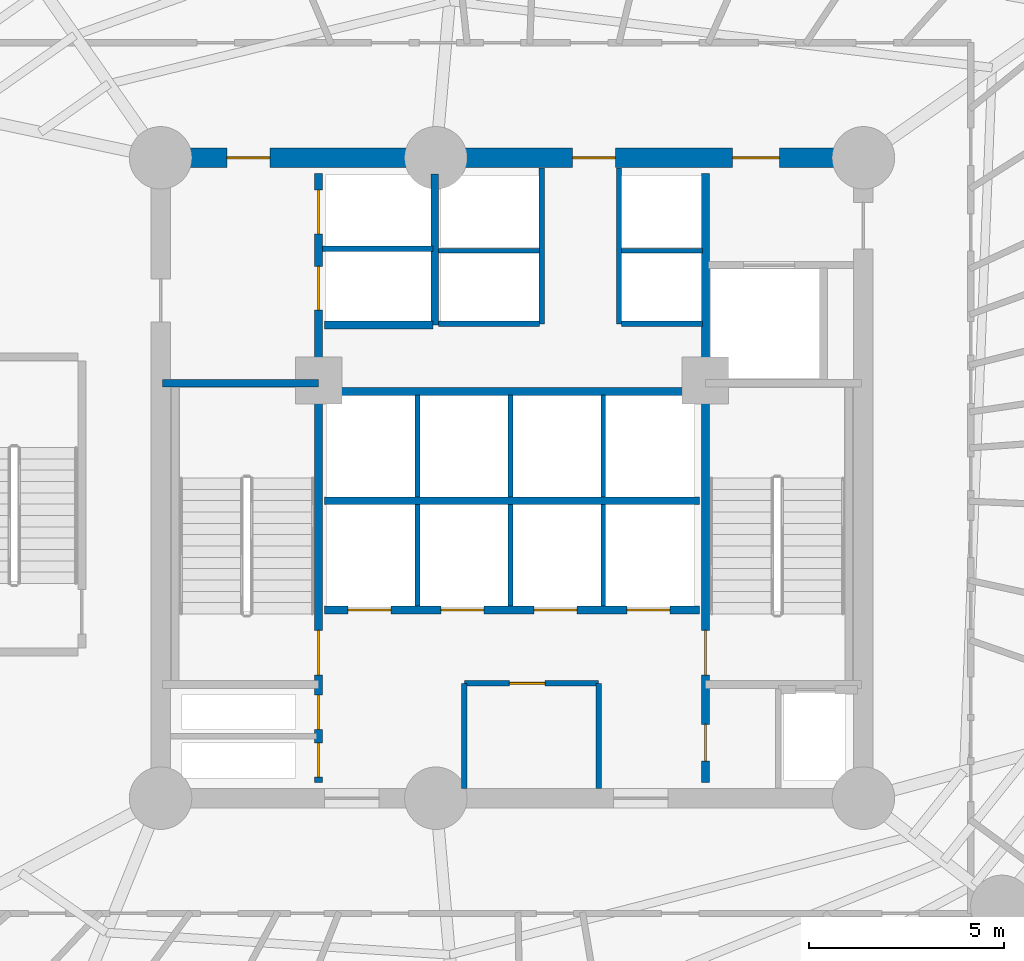
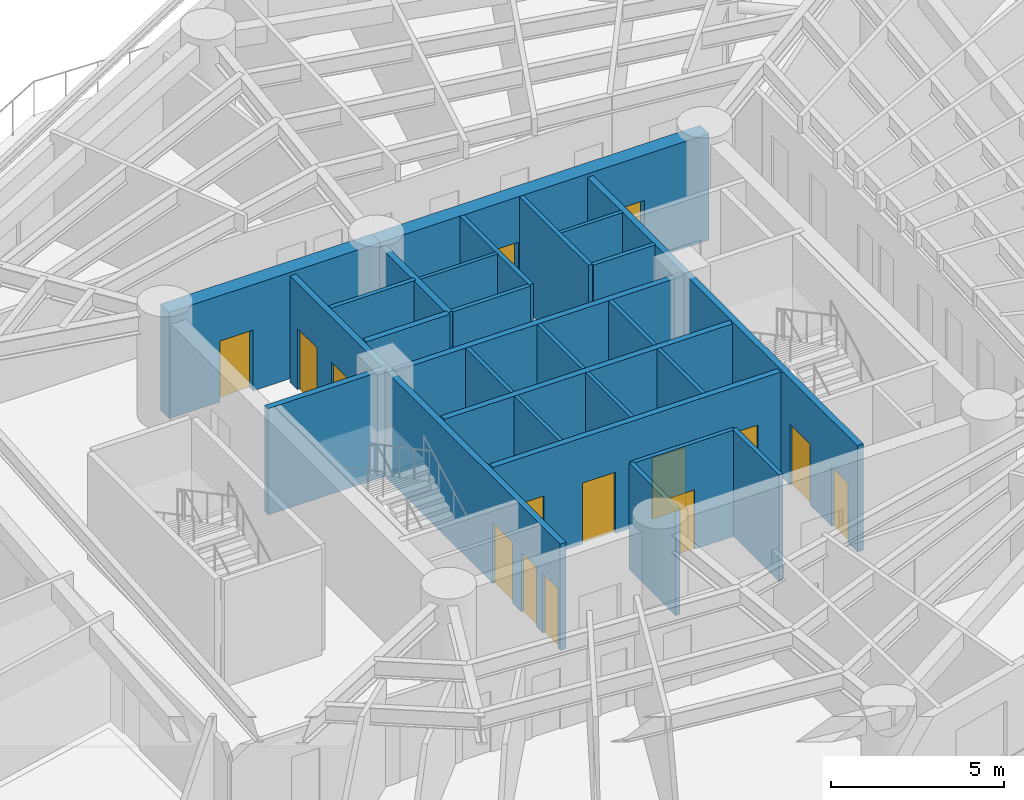
# One storey, part 8 of 16: 26 walls, 15 doors, 15 openings.
"""IFC4 building model written with IfcOpenShell, lengths in metres."""

from ifc_helpers import new_model, si_unit, direction, frame, frame_2d, origin, origin_with_axes, place, context, subcontext, project, spatial, rectangle, extrude, source, transform, mapped, material, layer, layer_set, type_object, element, fill, save


model = new_model("IFC4")

# Units and contexts
model_context = context("Model", 3, precision=1e-05, world=origin(), true_north=direction((0.0, 1.0)))
body_context = subcontext(model_context, "Body", "Model", "MODEL_VIEW")
ifc_project = project(units=[si_unit("LENGTHUNIT", "METRE"), si_unit("AREAUNIT", "SQUARE_METRE"), si_unit("VOLUMEUNIT", "CUBIC_METRE"), si_unit("PLANEANGLEUNIT", "RADIAN"), si_unit("MASSUNIT", "GRAM", prefix="KILO")], contexts=[model_context])

# Site, building, storey
site_placement = place(None, origin())
site = spatial("IfcSite", under=ifc_project, at=site_placement, CompositionType="ELEMENT")
building_placement = place(site_placement, origin())
building = spatial("IfcBuilding", under=site, at=building_placement, Name="Karkom Vertical University and Central Library", CompositionType="ELEMENT")
storey_placement = place(building_placement, frame((0.0, 0.0, 22.5)))
storey = spatial("IfcBuildingStorey", under=building, at=storey_placement, Name="L05", CompositionType="ELEMENT", Elevation=22.5)

# Walls
ifc_material_1 = material(Name="Moisture-resistant drywall 120mm", Category="gypsum")
ifc_layer_1 = layer(ifc_material_1, 0.1201171875)
ifc_layer_set_1 = layer_set([ifc_layer_1], Name="Moisture-resistant drywall 120mm")
wall_type_1 = type_object("IfcWallType", Name="INT-WL-INT-120H", PredefinedType="PARTITIONING", material=ifc_layer_set_1)
for number, where, z_axis, x_axis, name in (
    (1, (26.080078125, 23.219970703125, 0.0), (0.0, 0.0, 1.0), (0.0, 1.0, 0.0), "Level 05 Interior Partition Wall Level 05-CW-PL-DIV1"),
    (2, (28.4599609375, 23.219970703125, 0.0), (0.0, 0.0, 1.0), (0.0, 1.0, 0.0), "Level 05 Interior Partition Wall Level 05-CW-PL-DIV2"),
    (3, (30.840087890625, 23.219970703125, 0.0), (0.0, 0.0, 1.0), (0.0, 1.0, 0.0), "Level 05 Interior Partition Wall Level 05-CW-PL-DIV3"),
    (4, (26.080078125, 26.02001953125, 0.0), (0.0, 0.0, 1.0), (0.0, 1.0, 0.0), "Level 05 Interior Partition Wall Level 05-CW-PM-DIV1"),
    (5, (28.4599609375, 26.02001953125, 0.0), (0.0, 0.0, 1.0), (0.0, 1.0, 0.0), "Level 05 Interior Partition Wall Level 05-CW-PM-DIV2"),
    (6, (30.840087890625, 26.02001953125, 0.0), (0.0, 0.0, 1.0), (0.0, 1.0, 0.0), "Level 05 Interior Partition Wall Level 05-CW-PM-DIV3"),
):
    element("IfcWall", number, at=place(storey_placement, frame(where, z_axis=z_axis, x_axis=x_axis)), inside=storey, type_object=wall_type_1, Name=name, PredefinedType="PARTITIONING", context=body_context, shape_type="SweptSolid", body=[
        extrude(rectangle(XDim=2.60009765625, YDim=0.1201171875, at=frame_2d((1.300048828125, 0.0))), origin(), (0.0, 0.0, 1.0), 3.75),
    ])
wall_1_placement = place(storey_placement, frame((26.6201171875, 32.320068359375, 0.0), z_axis=(0.0, 0.0, 1.0), x_axis=(1.0, 0.0, 0.0)))
element("IfcWall", 7, at=wall_1_placement, inside=storey, type_object=wall_type_1, Name="Level 05 Interior Partition Wall Level 05-CW-PH-MW", PredefinedType="PARTITIONING", context=body_context, shape_type="SweptSolid", body=[
    extrude(rectangle(XDim=2.579833984375, YDim=0.1201171875, at=frame_2d((1.2900390625, 0.0))), origin(), (0.0, 0.0, 1.0), 3.75),
])
wall_2_placement = place(storey_placement, frame((31.300048828125, 32.320068359375, 0.0), z_axis=(0.0, 0.0, 1.0), x_axis=(1.0, 0.0, 0.0)))
element("IfcWall", 8, at=wall_2_placement, inside=storey, type_object=wall_type_1, Name="Level 05 Interior Partition Wall Level 05-CW-PH-ME", PredefinedType="PARTITIONING", context=body_context, shape_type="SweptSolid", body=[
    extrude(rectangle(XDim=2.074951171875, YDim=0.1201171875, at=frame_2d((1.03759765625, 0.0))), origin(), (0.0, 0.0, 1.0), 3.75),
])

# Wall, opening, door
ifc_material_2 = material(Name="Metal-stud gypsum partition 140mm", Category="gypsum")
ifc_layer_2 = layer(ifc_material_2, 0.139892578125)
ifc_layer_set_2 = layer_set([ifc_layer_2], Name="Metal-stud gypsum partition 140mm")
wall_type_2 = type_object("IfcWallType", Name="INT-WL-SUB-140", PredefinedType="PARTITIONING", material=ifc_layer_set_2)
wall_3_placement = place(storey_placement, frame((27.280029296875, 21.239990234375, 0.0), z_axis=(0.0, 0.0, 1.0), x_axis=(1.0, 0.0, 0.0)))
wall_3 = element("IfcWall", 9, at=wall_3_placement, inside=storey, type_object=wall_type_2, Name="Level 05 Interior Partition Wall Level 05-CW-KBAY-N", PredefinedType="PARTITIONING", context=body_context, shape_type="SweptSolid", body=[
    extrude(rectangle(XDim=3.43994140625, YDim=0.139892578125, at=frame_2d((1.719970703125, 0.0))), origin(), (0.0, 0.0, 1.0), 3.75),
])
opening_1_placement = place(wall_3_placement, frame((1.14990234375, 0.0, 0.0)))
opening_1 = element("IfcOpeningElement", 10, at=opening_1_placement, cuts=wall_3, Name="Opening D-SVC1", PredefinedType="OPENING", context=body_context, shape_type="SweptSolid", body=[
    extrude(rectangle(XDim=0.919921875, YDim=2.10009765625, at=frame_2d((0.4599609375, 1.050048828125))), frame((0.0, 0.080078125, 0.0), z_axis=(0.0, -1.0, 0.0), x_axis=(1.0, 0.0, 0.0)), (0.0, 0.0, 1.0), 0.159912109375),
])
ifc_material_3 = material(Name="Painted timber service door", Category="wood")
door_type_1 = type_object("IfcDoorType", Name="INT-DR-SVC1", OperationType="NOTDEFINED", PredefinedType="DOOR", material=ifc_material_3)
shared_shape_1 = source(origin_with_axes(), body_context, "Body", "SweptSolid", [
    extrude(rectangle(XDim=0.919921875, YDim=2.10009765625, at=frame_2d((0.4599609375, 1.050048828125))), frame((0.0, 0.02490234375, 0.0), z_axis=(0.0, -1.0, 0.0), x_axis=(1.0, 0.0, 0.0)), (0.0, 0.0, 1.0), 0.050048828125),
])
door_1_placement = place(opening_1_placement, origin())
door_1 = element("IfcDoor", 11, at=door_1_placement, inside=storey, type_object=door_type_1, Name="Level 05 Comms Room Door", OperationType="SINGLE_SWING_RIGHT", OverallHeight=2.10009765625, OverallWidth=0.919921875, PredefinedType="DOOR", context=body_context, shape_type="MappedRepresentation", body=[
    mapped(shared_shape_1, transform((0.0, 0.0, 0.0), scale=1.0)),
])
fill(opening_1, door_1)

# Walls
for number, where, z_axis, x_axis, name in (
    (12, (27.280029296875, 18.550048828125, 0.0), (0.0, 0.0, 1.0), (0.0, 1.0, 0.0), "Level 05 Interior Partition Wall Level 05-CW-KBAY-W"),
    (13, (30.719970703125, 18.550048828125, 0.0), (0.0, 0.0, 1.0), (0.0, 1.0, 0.0), "Level 05 Interior Partition Wall Level 05-CW-KBAY-E"),
):
    element("IfcWall", number, at=place(storey_placement, frame(where, z_axis=z_axis, x_axis=x_axis)), inside=storey, type_object=wall_type_2, Name=name, PredefinedType="PARTITIONING", context=body_context, shape_type="SweptSolid", body=[
        extrude(rectangle(XDim=2.68994140625, YDim=0.139892578125, at=frame_2d((1.344970703125, 0.0))), origin(), (0.0, 0.0, 1.0), 3.75),
    ])
ifc_layer_3 = layer(ifc_material_2, 0.139892578125)
ifc_layer_set_3 = layer_set([ifc_layer_3], Name="Metal-stud gypsum partition 140mm")
wall_type_3 = type_object("IfcWallType", Name="INT-WL-SUB-140H", PredefinedType="PARTITIONING", material=ifc_layer_set_3)
for number, where, z_axis, x_axis, name in (
    (14, (29.260009765625, 30.449951171875, 0.0), (0.0, 0.0, 1.0), (0.0, 1.0, 0.0), "Level 05 Interior Partition Wall Level 05-CW-PH-W"),
    (15, (31.239990234375, 30.449951171875, 0.0), (0.0, 0.0, 1.0), (0.0, 1.0, 0.0), "Level 05 Interior Partition Wall Level 05-CW-PH-E"),
):
    element("IfcWall", number, at=place(storey_placement, frame(where, z_axis=z_axis, x_axis=x_axis)), inside=storey, type_object=wall_type_3, Name=name, PredefinedType="PARTITIONING", context=body_context, shape_type="SweptSolid", body=[
        extrude(rectangle(XDim=3.9931640625, YDim=0.139892578125, at=frame_2d((1.99658203125, 0.0))), origin(), (0.0, 0.0, 1.0), 3.75),
    ])
wall_4_placement = place(storey_placement, frame((26.6201171875, 30.449951171875, 0.0), z_axis=(0.0, 0.0, 1.0), x_axis=(1.0, 0.0, 0.0)))
element("IfcWall", 16, at=wall_4_placement, inside=storey, type_object=wall_type_3, Name="Level 05 Interior Partition Wall Level 05-CW-PH-S1", PredefinedType="PARTITIONING", context=body_context, shape_type="SweptSolid", body=[
    extrude(rectangle(XDim=2.579833984375, YDim=0.139892578125, at=frame_2d((1.2900390625, 0.0))), origin(), (0.0, 0.0, 1.0), 3.75),
])
wall_5_placement = place(storey_placement, frame((31.300048828125, 30.449951171875, 0.0), z_axis=(0.0, 0.0, 1.0), x_axis=(1.0, 0.0, 0.0)))
element("IfcWall", 17, at=wall_5_placement, inside=storey, type_object=wall_type_3, Name="Level 05 Interior Partition Wall Level 05-CW-PH-S2", PredefinedType="PARTITIONING", context=body_context, shape_type="SweptSolid", body=[
    extrude(rectangle(XDim=2.074951171875, YDim=0.139892578125, at=frame_2d((1.03759765625, 0.0))), origin(), (0.0, 0.0, 1.0), 3.75),
])
ifc_layer_4 = layer(ifc_material_2, 0.139892578125)
ifc_layer_set_4 = layer_set([ifc_layer_4], Name="Metal-stud gypsum partition 140mm")
wall_type_4 = type_object("IfcWallType", Name="INT-WL-SUB-140X", PredefinedType="PARTITIONING", material=ifc_layer_set_4)
wall_6_placement = place(storey_placement, frame((23.652099609375, 32.3701171875, 0.0), z_axis=(0.0, 0.0, 1.0), x_axis=(1.0, 0.0, 0.0)))
element("IfcWall", 18, at=wall_6_placement, inside=storey, type_object=wall_type_4, Name="Level 05 Interior Partition Wall Level 05-CW-FFL-M", PredefinedType="PARTITIONING", context=body_context, shape_type="SweptSolid", body=[
    extrude(rectangle(XDim=2.827880859375, YDim=0.139892578125, at=frame_2d((1.4140625, 0.0))), origin(), (0.0, 0.0, 1.0), 3.75),
])

# Wall, openings, doors
ifc_material_4 = material(Name="Concrete C50/60", Category="concrete")
ifc_layer_5 = layer(ifc_material_4, 0.5)
ifc_layer_set_5 = layer_set([ifc_layer_5], Name="Concrete C50/60")
wall_type_5 = type_object("IfcWallType", Name="STR-WL-CW-500", PredefinedType="SHEAR", material=ifc_layer_set_5)
wall_7_placement = place(storey_placement, frame((37.5, 34.699951171875, 0.0), z_axis=(0.0, 0.0, 1.0), x_axis=(-1.0, 0.0, 0.0)))
wall_7 = element("IfcWall", 19, at=wall_7_placement, inside=storey, type_object=wall_type_5, Name="Level 05 Central Core Shear Wall NW1", PredefinedType="SHEAR", context=body_context, shape_type="SweptSolid", body=[
    extrude(rectangle(XDim=10.949951171875, YDim=0.5, at=frame_2d((5.47509765625, 0.0))), origin(), (0.0, 0.0, 1.0), 3.75),
])
opening_2_placement = place(wall_7_placement, frame((2.14990234375, 0.0, 0.0)))
opening_2 = element("IfcOpeningElement", 20, at=opening_2_placement, cuts=wall_7, Name="Opening FD-SUB1", PredefinedType="OPENING", context=body_context, shape_type="SweptSolid", body=[
    extrude(rectangle(XDim=1.199951171875, YDim=2.14990234375, at=frame_2d((0.60009765625, 1.074951171875))), frame((0.0, 0.260009765625, 0.0), z_axis=(0.0, -1.0, 0.0), x_axis=(1.0, 0.0, 0.0)), (0.0, 0.0, 1.0), 0.52001953125),
])
opening_3_placement = place(wall_7_placement, frame((6.35009765625, 0.0, 0.0)))
opening_3 = element("IfcOpeningElement", 21, at=opening_3_placement, cuts=wall_7, Name="Opening FD-FFL", PredefinedType="OPENING", context=body_context, shape_type="SweptSolid", body=[
    extrude(rectangle(XDim=1.10009765625, YDim=2.14990234375, at=frame_2d((0.550048828125, 1.074951171875))), frame((0.0, 0.260009765625, 0.0), z_axis=(0.0, -1.0, 0.0), x_axis=(1.0, 0.0, 0.0)), (0.0, 0.0, 1.0), 0.52001953125),
])
ifc_material_5 = material(Name="Painted steel smoke-seal fire door", Category="steel")
door_type_2 = type_object("IfcDoorType", Name="INT-DR-FFL", OperationType="NOTDEFINED", PredefinedType="DOOR", material=ifc_material_5)
shared_shape_2 = source(origin_with_axes(), body_context, "Body", "SweptSolid", [
    extrude(rectangle(XDim=1.10009765625, YDim=2.14990234375, at=frame_2d((0.550048828125, 1.074951171875))), frame((0.0, 0.02490234375, 0.0), z_axis=(0.0, -1.0, 0.0), x_axis=(1.0, 0.0, 0.0)), (0.0, 0.0, 1.0), 0.050048828125),
])
door_2_placement = place(opening_3_placement, origin())
door_2 = element("IfcDoor", 22, at=door_2_placement, inside=storey, type_object=door_type_2, Name="Level 05 North Core Lobby Exit Door", OperationType="SINGLE_SWING_LEFT", OverallHeight=2.14990234375, OverallWidth=1.10009765625, PredefinedType="DOOR", context=body_context, shape_type="MappedRepresentation", body=[
    mapped(shared_shape_2, transform((0.0, 0.0, 0.0), scale=1.0)),
])
fill(opening_3, door_2)
ifc_material_6 = material(Name="Painted steel fire door", Category="steel")
door_type_3 = type_object("IfcDoorType", Name="INT-DR-SUB1", OperationType="NOTDEFINED", PredefinedType="DOOR", material=ifc_material_6)
shared_shape_3 = source(origin_with_axes(), body_context, "Body", "SweptSolid", [
    extrude(rectangle(XDim=1.199951171875, YDim=2.14990234375, at=frame_2d((0.60009765625, 1.074951171875))), frame((0.0, 0.02490234375, 0.0), z_axis=(0.0, -1.0, 0.0), x_axis=(1.0, 0.0, 0.0)), (0.0, 0.0, 1.0), 0.050048828125),
])
door_3_placement = place(opening_2_placement, origin())
door_3 = element("IfcDoor", 23, at=door_3_placement, inside=storey, type_object=door_type_3, Name="Level 05 Service Lobby Fire Door", OperationType="SINGLE_SWING_RIGHT", OverallHeight=2.14990234375, OverallWidth=1.199951171875, PredefinedType="DOOR", context=body_context, shape_type="MappedRepresentation", body=[
    mapped(shared_shape_3, transform((0.0, 0.0, 0.0), scale=1.0)),
])
fill(opening_2, door_3)

# Wall, opening, door
wall_8_placement = place(storey_placement, frame((26.550048828125, 34.699951171875, 0.0), z_axis=(0.0, 0.0, 1.0), x_axis=(-1.0, 0.0, 0.0)))
wall_8 = element("IfcWall", 24, at=wall_8_placement, inside=storey, type_object=wall_type_5, Name="Level 05 Central Core Shear Wall NW2", PredefinedType="SHEAR", context=body_context, shape_type="SweptSolid", body=[
    extrude(rectangle(XDim=7.050048828125, YDim=0.5, at=frame_2d((3.52490234375, 0.0))), origin(), (0.0, 0.0, 1.0), 3.75),
])
opening_4_placement = place(wall_8_placement, frame((4.25, 0.0, 0.0)))
opening_4 = element("IfcOpeningElement", 25, at=opening_4_placement, cuts=wall_8, Name="Opening FD-FFL", PredefinedType="OPENING", context=body_context, shape_type="SweptSolid", body=[
    extrude(rectangle(XDim=1.10009765625, YDim=2.14990234375, at=frame_2d((0.550048828125, 1.074951171875))), frame((0.0, 0.260009765625, 0.0), z_axis=(0.0, -1.0, 0.0), x_axis=(1.0, 0.0, 0.0)), (0.0, 0.0, 1.0), 0.52001953125),
])
door_4_placement = place(opening_4_placement, origin())
door_4 = element("IfcDoor", 26, at=door_4_placement, inside=storey, type_object=door_type_2, Name="Level 05 Firefighting Lobby Door", OperationType="SINGLE_SWING_LEFT", OverallHeight=2.14990234375, OverallWidth=1.10009765625, PredefinedType="DOOR", context=body_context, shape_type="MappedRepresentation", body=[
    mapped(shared_shape_2, transform((0.0, 0.0, 0.0), scale=1.0)),
])
fill(opening_4, door_4)

# Wall, openings, doors
ifc_material_7 = material(Name="Concrete C45/55", Category="concrete")
ifc_layer_6 = layer(ifc_material_7, 0.199951171875)
ifc_layer_set_6 = layer_set([ifc_layer_6], Name="Concrete C45/55")
wall_type_6 = type_object("IfcWallType", Name="STR-WL-ST-200", PredefinedType="SHEAR", material=ifc_layer_set_6)
wall_9_placement = place(storey_placement, frame((23.544921875, 18.699951171875, 0.0), z_axis=(0.0, 0.0, 1.0), x_axis=(0.0, 1.0, 0.0)))
wall_9 = element("IfcWall", 27, at=wall_9_placement, inside=storey, type_object=wall_type_6, Name="Level 05 Core Shaft Wall Level 05-CW-ST1-E", PredefinedType="SHEAR", context=body_context, shape_type="SweptSolid", body=[
    extrude(rectangle(XDim=15.60009765625, YDim=0.199951171875, at=frame_2d((7.800048828125, 0.0))), origin(), (0.0, 0.0, 1.0), 3.75),
])
opening_5_placement = place(wall_9_placement, frame((2.75, 0.0, 0.0)))
opening_5 = element("IfcOpeningElement", 28, at=opening_5_placement, cuts=wall_9, Name="Opening FD-ST1", PredefinedType="OPENING", context=body_context, shape_type="SweptSolid", body=[
    extrude(rectangle(XDim=1.14990234375, YDim=2.14990234375, at=frame_2d((0.574951171875, 1.074951171875))), frame((0.0, 0.10986328125, 0.0), z_axis=(0.0, -1.0, 0.0), x_axis=(1.0, 0.0, 0.0)), (0.0, 0.0, 1.0), 0.219970703125),
])
opening_6_placement = place(wall_9_placement, frame((0.139892578125, 0.0, 0.0)))
opening_6 = element("IfcOpeningElement", 29, at=opening_6_placement, cuts=wall_9, Name="Opening FD-RIS", PredefinedType="OPENING", context=body_context, shape_type="SweptSolid", body=[
    extrude(rectangle(XDim=0.8798828125, YDim=2.10009765625, at=frame_2d((0.43994140625, 1.050048828125))), frame((0.0, 0.10986328125, 0.0), z_axis=(0.0, -1.0, 0.0), x_axis=(1.0, 0.0, 0.0)), (0.0, 0.0, 1.0), 0.219970703125),
])
opening_7_placement = place(wall_9_placement, frame((1.360107421875, 0.0, 0.0)))
opening_7 = element("IfcOpeningElement", 30, at=opening_7_placement, cuts=wall_9, Name="Opening FD-RIS", PredefinedType="OPENING", context=body_context, shape_type="SweptSolid", body=[
    extrude(rectangle(XDim=0.8798828125, YDim=2.10009765625, at=frame_2d((0.43994140625, 1.050048828125))), frame((0.0, 0.10986328125, 0.0), z_axis=(0.0, -1.0, 0.0), x_axis=(1.0, 0.0, 0.0)), (0.0, 0.0, 1.0), 0.219970703125),
])
opening_8_placement = place(wall_9_placement, frame((12.10009765625, 0.0, 0.0)))
opening_8 = element("IfcOpeningElement", 31, at=opening_8_placement, cuts=wall_9, Name="Opening LD-FFL", PredefinedType="OPENING", context=body_context, shape_type="SweptSolid", body=[
    extrude(rectangle(XDim=1.1201171875, YDim=2.14990234375, at=frame_2d((0.56005859375, 1.074951171875))), frame((0.0, 0.10986328125, 0.0), z_axis=(0.0, -1.0, 0.0), x_axis=(1.0, 0.0, 0.0)), (0.0, 0.0, 1.0), 0.219970703125),
])
opening_9_placement = place(wall_9_placement, frame((14.050048828125, 0.0, 0.0)))
opening_9 = element("IfcOpeningElement", 32, at=opening_9_placement, cuts=wall_9, Name="Opening LD-FFL", PredefinedType="OPENING", context=body_context, shape_type="SweptSolid", body=[
    extrude(rectangle(XDim=1.1201171875, YDim=2.14990234375, at=frame_2d((0.56005859375, 1.074951171875))), frame((0.0, 0.10986328125, 0.0), z_axis=(0.0, -1.0, 0.0), x_axis=(1.0, 0.0, 0.0)), (0.0, 0.0, 1.0), 0.219970703125),
])
ifc_material_8 = material(Name="Painted steel acoustic fire door", Category="steel")
door_type_4 = type_object("IfcDoorType", Name="INT-DR-ST1", OperationType="NOTDEFINED", PredefinedType="DOOR", material=ifc_material_8)
shared_shape_4 = source(origin_with_axes(), body_context, "Body", "SweptSolid", [
    extrude(rectangle(XDim=1.14990234375, YDim=2.14990234375, at=frame_2d((0.574951171875, 1.074951171875))), frame((0.0, 0.02490234375, 0.0), z_axis=(0.0, -1.0, 0.0), x_axis=(1.0, 0.0, 0.0)), (0.0, 0.0, 1.0), 0.050048828125),
])
door_5_placement = place(opening_5_placement, origin())
door_5 = element("IfcDoor", 33, at=door_5_placement, inside=storey, type_object=door_type_4, Name="Level 05 Stair ST-1 Fire Door", OperationType="SINGLE_SWING_LEFT", OverallHeight=2.14990234375, OverallWidth=1.14990234375, PredefinedType="DOOR", context=body_context, shape_type="MappedRepresentation", body=[
    mapped(shared_shape_4, transform((0.0, 0.0, 0.0), scale=1.0)),
])
fill(opening_5, door_5)
ifc_material_9 = material(Name="Painted steel riser access door", Category="steel")
door_type_5 = type_object("IfcDoorType", Name="INT-DR-RIS", OperationType="NOTDEFINED", PredefinedType="DOOR", material=ifc_material_9)
shared_shape_5 = source(origin_with_axes(), body_context, "Body", "SweptSolid", [
    extrude(rectangle(XDim=0.8798828125, YDim=2.10009765625, at=frame_2d((0.43994140625, 1.050048828125))), frame((0.0, 0.02490234375, 0.0), z_axis=(0.0, -1.0, 0.0), x_axis=(1.0, 0.0, 0.0)), (0.0, 0.0, 1.0), 0.050048828125),
])
door_6_placement = place(opening_6_placement, origin())
door_6 = element("IfcDoor", 34, at=door_6_placement, inside=storey, type_object=door_type_5, Name="Level 05 Electrical Riser Access Door", OperationType="SINGLE_SWING_LEFT", OverallHeight=2.10009765625, OverallWidth=0.8798828125, PredefinedType="DOOR", context=body_context, shape_type="MappedRepresentation", body=[
    mapped(shared_shape_5, transform((0.0, 0.0, 0.0), scale=1.0)),
])
fill(opening_6, door_6)
door_7_placement = place(opening_7_placement, origin())
door_7 = element("IfcDoor", 35, at=door_7_placement, inside=storey, type_object=door_type_5, Name="Level 05 Telecom Riser Access Door", OperationType="SINGLE_SWING_RIGHT", OverallHeight=2.10009765625, OverallWidth=0.8798828125, PredefinedType="DOOR", context=body_context, shape_type="MappedRepresentation", body=[
    mapped(shared_shape_5, transform((0.0, 0.0, 0.0), scale=1.0)),
])
fill(opening_7, door_7)
ifc_material_10 = material(Name="Fire-rated stainless-steel landing door", Category="steel")
door_type_6 = type_object("IfcDoorType", Name="INT-DR-LD-FFL", OperationType="SLIDING_TO_LEFT", PredefinedType="DOOR", material=ifc_material_10)
shared_shape_6 = source(origin_with_axes(), body_context, "Body", "SweptSolid", [
    extrude(rectangle(XDim=1.1201171875, YDim=2.14990234375, at=frame_2d((0.56005859375, 1.074951171875))), frame((0.0, 0.02490234375, 0.0), z_axis=(0.0, -1.0, 0.0), x_axis=(1.0, 0.0, 0.0)), (0.0, 0.0, 1.0), 0.050048828125),
])
door_8_placement = place(opening_8_placement, origin())
door_8 = element("IfcDoor", 36, at=door_8_placement, inside=storey, type_object=door_type_6, Name="Level 05 Firefighting Lift FFL-1 Landing Door", OperationType="SLIDING_TO_LEFT", OverallHeight=2.14990234375, OverallWidth=1.1201171875, PredefinedType="DOOR", context=body_context, shape_type="MappedRepresentation", body=[
    mapped(shared_shape_6, transform((0.0, 0.0, 0.0), scale=1.0)),
])
fill(opening_8, door_8)
door_9_placement = place(opening_9_placement, origin())
door_9 = element("IfcDoor", 37, at=door_9_placement, inside=storey, type_object=door_type_6, Name="Level 05 Firefighting Lift FFL-2 Landing Door", OperationType="SLIDING_TO_RIGHT", OverallHeight=2.14990234375, OverallWidth=1.1201171875, PredefinedType="DOOR", context=body_context, shape_type="MappedRepresentation", body=[
    mapped(shared_shape_6, transform((0.0, 0.0, 0.0), scale=1.0)),
])
fill(opening_9, door_9)

wall_10_placement = place(storey_placement, frame((33.455078125, 18.699951171875, 0.0), z_axis=(0.0, 0.0, 1.0), x_axis=(0.0, 1.0, 0.0)))
wall_10 = element("IfcWall", 38, at=wall_10_placement, inside=storey, type_object=wall_type_6, Name="Level 05 Core Shaft Wall Level 05-CW-ST2-W", PredefinedType="SHEAR", context=body_context, shape_type="SweptSolid", body=[
    extrude(rectangle(XDim=15.60009765625, YDim=0.199951171875, at=frame_2d((7.800048828125, 0.0))), origin(), (0.0, 0.0, 1.0), 3.75),
])
opening_10_placement = place(wall_10_placement, frame((2.75, 0.0, 0.0)))
opening_10 = element("IfcOpeningElement", 39, at=opening_10_placement, cuts=wall_10, Name="Opening FD-ST1", PredefinedType="OPENING", context=body_context, shape_type="SweptSolid", body=[
    extrude(rectangle(XDim=1.14990234375, YDim=2.14990234375, at=frame_2d((0.574951171875, 1.074951171875))), frame((0.0, 0.10986328125, 0.0), z_axis=(0.0, -1.0, 0.0), x_axis=(1.0, 0.0, 0.0)), (0.0, 0.0, 1.0), 0.219970703125),
])
opening_11_placement = place(wall_10_placement, frame((0.550048828125, 0.0, 0.0)))
opening_11 = element("IfcOpeningElement", 40, at=opening_11_placement, cuts=wall_10, Name="Opening D-WC1", PredefinedType="OPENING", context=body_context, shape_type="SweptSolid", body=[
    extrude(rectangle(XDim=0.93994140625, YDim=2.10009765625, at=frame_2d((0.469970703125, 1.050048828125))), frame((0.0, 0.10986328125, 0.0), z_axis=(0.0, -1.0, 0.0), x_axis=(1.0, 0.0, 0.0)), (0.0, 0.0, 1.0), 0.219970703125),
])
door_10_placement = place(opening_10_placement, origin())
door_10 = element("IfcDoor", 41, at=door_10_placement, inside=storey, type_object=door_type_4, Name="Level 05 Stair ST-2 Fire Door", OperationType="SINGLE_SWING_RIGHT", OverallHeight=2.14990234375, OverallWidth=1.14990234375, PredefinedType="DOOR", context=body_context, shape_type="MappedRepresentation", body=[
    mapped(shared_shape_4, transform((0.0, 0.0, 0.0), scale=1.0)),
])
fill(opening_10, door_10)
ifc_material_11 = material(Name="Fire-rated laminate moisture-resistant door", Category="wood")
door_type_7 = type_object("IfcDoorType", Name="INT-DR-WC1", OperationType="NOTDEFINED", PredefinedType="DOOR", material=ifc_material_11)
shared_shape_7 = source(origin_with_axes(), body_context, "Body", "SweptSolid", [
    extrude(rectangle(XDim=0.93994140625, YDim=2.10009765625, at=frame_2d((0.469970703125, 1.050048828125))), frame((0.0, 0.02490234375, 0.0), z_axis=(0.0, -1.0, 0.0), x_axis=(1.0, 0.0, 0.0)), (0.0, 0.0, 1.0), 0.050048828125),
])
door_11_placement = place(opening_11_placement, origin())
door_11 = element("IfcDoor", 42, at=door_11_placement, inside=storey, type_object=door_type_7, Name="Level 05 Accessible WC Door", OperationType="SINGLE_SWING_LEFT", OverallHeight=2.10009765625, OverallWidth=0.93994140625, PredefinedType="DOOR", context=body_context, shape_type="MappedRepresentation", body=[
    mapped(shared_shape_7, transform((0.0, 0.0, 0.0), scale=1.0)),
])
fill(opening_11, door_11)

wall_11_placement = place(storey_placement, frame((23.699951171875, 23.1201171875, 0.0), z_axis=(0.0, 0.0, 1.0), x_axis=(1.0, 0.0, 0.0)))
wall_11 = element("IfcWall", 43, at=wall_11_placement, inside=storey, type_object=wall_type_6, Name="Level 05 Core Shaft Wall Level 05-CW-B1-S", PredefinedType="SHEAR", context=body_context, shape_type="SweptSolid", body=[
    extrude(rectangle(XDim=9.60009765625, YDim=0.199951171875, at=frame_2d((4.800048828125, 0.0))), origin(), (0.0, 0.0, 1.0), 3.75),
])
opening_12_placement = place(wall_11_placement, frame((0.60009765625, 0.0, 0.0)))
opening_12 = element("IfcOpeningElement", 44, at=opening_12_placement, cuts=wall_11, Name="Opening LD-PAX", PredefinedType="OPENING", context=body_context, shape_type="SweptSolid", body=[
    extrude(rectangle(XDim=1.10009765625, YDim=2.14990234375, at=frame_2d((0.550048828125, 1.074951171875))), frame((0.0, 0.10986328125, 0.0), z_axis=(0.0, -1.0, 0.0), x_axis=(1.0, 0.0, 0.0)), (0.0, 0.0, 1.0), 0.219970703125),
])
opening_13_placement = place(wall_11_placement, frame((2.97998046875, 0.0, 0.0)))
opening_13 = element("IfcOpeningElement", 45, at=opening_13_placement, cuts=wall_11, Name="Opening LD-PAX", PredefinedType="OPENING", context=body_context, shape_type="SweptSolid", body=[
    extrude(rectangle(XDim=1.10009765625, YDim=2.14990234375, at=frame_2d((0.550048828125, 1.074951171875))), frame((0.0, 0.10986328125, 0.0), z_axis=(0.0, -1.0, 0.0), x_axis=(1.0, 0.0, 0.0)), (0.0, 0.0, 1.0), 0.219970703125),
])
opening_14_placement = place(wall_11_placement, frame((5.360107421875, 0.0, 0.0)))
opening_14 = element("IfcOpeningElement", 46, at=opening_14_placement, cuts=wall_11, Name="Opening LD-PAX", PredefinedType="OPENING", context=body_context, shape_type="SweptSolid", body=[
    extrude(rectangle(XDim=1.10009765625, YDim=2.14990234375, at=frame_2d((0.550048828125, 1.074951171875))), frame((0.0, 0.10986328125, 0.0), z_axis=(0.0, -1.0, 0.0), x_axis=(1.0, 0.0, 0.0)), (0.0, 0.0, 1.0), 0.219970703125),
])
opening_15_placement = place(wall_11_placement, frame((7.739990234375, 0.0, 0.0)))
opening_15 = element("IfcOpeningElement", 47, at=opening_15_placement, cuts=wall_11, Name="Opening LD-PAX", PredefinedType="OPENING", context=body_context, shape_type="SweptSolid", body=[
    extrude(rectangle(XDim=1.10009765625, YDim=2.14990234375, at=frame_2d((0.550048828125, 1.074951171875))), frame((0.0, 0.10986328125, 0.0), z_axis=(0.0, -1.0, 0.0), x_axis=(1.0, 0.0, 0.0)), (0.0, 0.0, 1.0), 0.219970703125),
])
ifc_material_12 = material(Name="Brushed stainless-steel landing door", Category="steel")
door_type_8 = type_object("IfcDoorType", Name="INT-DR-LD-PAX", OperationType="SLIDING_TO_LEFT", PredefinedType="DOOR", material=ifc_material_12)
door_12_placement = place(opening_12_placement, origin())
door_12 = element("IfcDoor", 48, at=door_12_placement, inside=storey, type_object=door_type_8, Name="Level 05 Lift PL-1 Landing Door", OperationType="SLIDING_TO_LEFT", OverallHeight=2.14990234375, OverallWidth=1.10009765625, PredefinedType="DOOR", context=body_context, shape_type="MappedRepresentation", body=[
    mapped(shared_shape_2, transform((0.0, 0.0, 0.0), scale=1.0)),
])
fill(opening_12, door_12)
door_13_placement = place(opening_13_placement, origin())
door_13 = element("IfcDoor", 49, at=door_13_placement, inside=storey, type_object=door_type_8, Name="Level 05 Lift PL-2 Landing Door", OperationType="SLIDING_TO_RIGHT", OverallHeight=2.14990234375, OverallWidth=1.10009765625, PredefinedType="DOOR", context=body_context, shape_type="MappedRepresentation", body=[
    mapped(shared_shape_2, transform((0.0, 0.0, 0.0), scale=1.0)),
])
fill(opening_13, door_13)
door_14_placement = place(opening_14_placement, origin())
door_14 = element("IfcDoor", 50, at=door_14_placement, inside=storey, type_object=door_type_8, Name="Level 05 Lift PL-3 Landing Door", OperationType="SLIDING_TO_LEFT", OverallHeight=2.14990234375, OverallWidth=1.10009765625, PredefinedType="DOOR", context=body_context, shape_type="MappedRepresentation", body=[
    mapped(shared_shape_2, transform((0.0, 0.0, 0.0), scale=1.0)),
])
fill(opening_14, door_14)
door_15_placement = place(opening_15_placement, origin())
door_15 = element("IfcDoor", 51, at=door_15_placement, inside=storey, type_object=door_type_8, Name="Level 05 Lift PL-4 Landing Door", OperationType="SLIDING_TO_RIGHT", OverallHeight=2.14990234375, OverallWidth=1.10009765625, PredefinedType="DOOR", context=body_context, shape_type="MappedRepresentation", body=[
    mapped(shared_shape_2, transform((0.0, 0.0, 0.0), scale=1.0)),
])
fill(opening_15, door_15)

# Walls
for number, where, z_axis, x_axis, name in (
    (52, (23.699951171875, 25.919921875, 0.0), (0.0, 0.0, 1.0), (1.0, 0.0, 0.0), "Level 05 Core Shaft Wall Level 05-CW-B1-N"),
    (53, (23.699951171875, 28.719970703125, 0.0), (0.0, 0.0, 1.0), (1.0, 0.0, 0.0), "Level 05 Core Shaft Wall Level 05-CW-B2-N"),
):
    element("IfcWall", number, at=place(storey_placement, frame(where, z_axis=z_axis, x_axis=x_axis)), inside=storey, type_object=wall_type_6, Name=name, PredefinedType="SHEAR", context=body_context, shape_type="SweptSolid", body=[
        extrude(rectangle(XDim=9.60009765625, YDim=0.199951171875, at=frame_2d((4.800048828125, 0.0))), origin(), (0.0, 0.0, 1.0), 3.75),
    ])
wall_12_placement = place(storey_placement, frame((19.550048828125, 28.925048828125, 0.0), z_axis=(0.0, 0.0, 1.0), x_axis=(1.0, 0.0, 0.0)))
element("IfcWall", 54, at=wall_12_placement, inside=storey, type_object=wall_type_6, Name="Level 05 Core Shaft Wall Level 05-CW-ST1-N", PredefinedType="SHEAR", context=body_context, shape_type="SweptSolid", body=[
    extrude(rectangle(XDim=3.994873046875, YDim=0.199951171875, at=frame_2d((1.99755859375, 0.0))), origin(), (0.0, 0.0, 1.0), 3.75),
])
wall_13_placement = place(storey_placement, frame((26.52001953125, 30.419921875, 0.0), z_axis=(0.0, 0.0, 1.0), x_axis=(0.0, 1.0, 0.0)))
element("IfcWall", 55, at=wall_13_placement, inside=storey, type_object=wall_type_6, Name="Level 05 Core Shaft Wall Level 05-CW-FFL-E", PredefinedType="SHEAR", context=body_context, shape_type="SweptSolid", body=[
    extrude(rectangle(XDim=3.860107421875, YDim=0.199951171875, at=frame_2d((1.93017578125, 0.0))), origin(), (0.0, 0.0, 1.0), 3.75),
])
wall_14_placement = place(storey_placement, frame((23.699951171875, 30.419921875, 0.0), z_axis=(0.0, 0.0, 1.0), x_axis=(1.0, 0.0, 0.0)))
element("IfcWall", 56, at=wall_14_placement, inside=storey, type_object=wall_type_6, Name="Level 05 Core Shaft Wall Level 05-CW-FFL-S", PredefinedType="SHEAR", context=body_context, shape_type="SweptSolid", body=[
    extrude(rectangle(XDim=2.780029296875, YDim=0.199951171875, at=frame_2d((1.39013671875, 0.0))), origin(), (0.0, 0.0, 1.0), 3.75),
])

save(model, "model.ifc")
